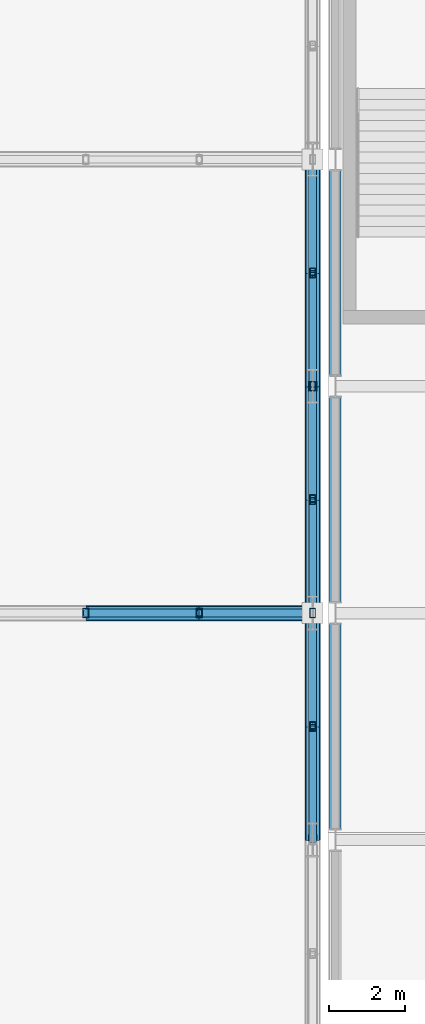
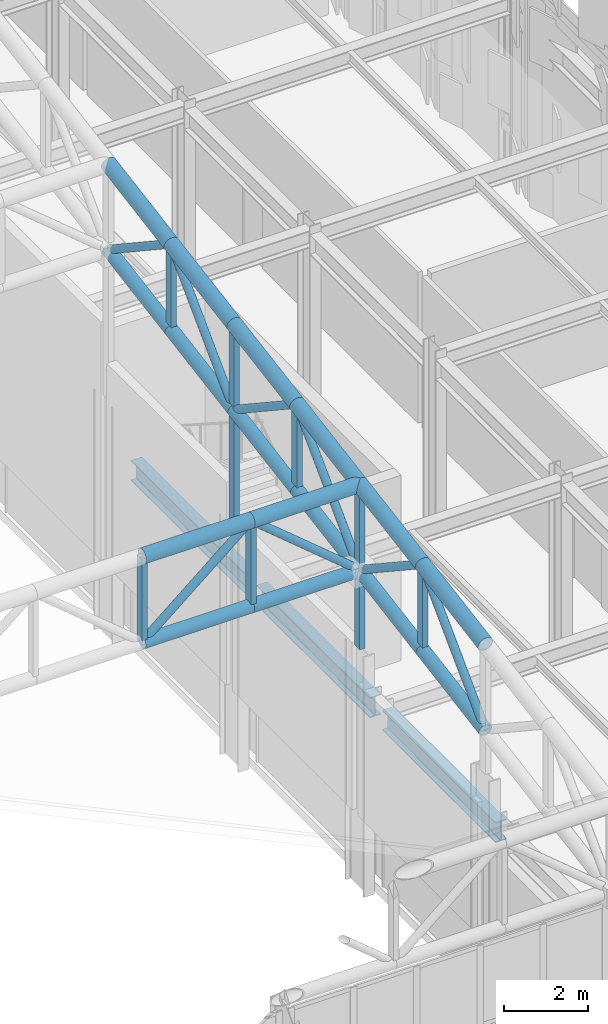
# One storey, part 74 of 239: 31 members, 3 beams.
"""IFC4 building model written with IfcOpenShell, lengths in metres."""

from ifc_helpers import new_model, si_unit, direction, frame, origin, origin_2d, place, context, subcontext, project, spatial, hollow_rectangle, hollow_circle, i_section, extrude, material, material_profile, profile_set, type_object, element, save


model = new_model("IFC4")

# Units and contexts
model_context = context("Model", 3, precision=1e-05, world=origin(), true_north=direction((0.0, 1.0)))
body_context = subcontext(model_context, "Body", "Model", "MODEL_VIEW")
ifc_project = project(units=[si_unit("LENGTHUNIT", "METRE"), si_unit("AREAUNIT", "SQUARE_METRE"), si_unit("VOLUMEUNIT", "CUBIC_METRE"), si_unit("PLANEANGLEUNIT", "RADIAN"), si_unit("MASSUNIT", "GRAM", prefix="KILO")], contexts=[model_context])

# Site, building, storey
site_placement = place(None, origin())
site = spatial("IfcSite", under=ifc_project, at=site_placement, CompositionType="ELEMENT")
building_placement = place(site_placement, origin())
building = spatial("IfcBuilding", under=site, at=building_placement, Name="Kaldris Quays Convention Centre", CompositionType="ELEMENT")
storey_placement = place(building_placement, frame((0.0, 0.0, 11.39990234375)))
storey = spatial("IfcBuildingStorey", under=building, at=storey_placement, Name="L02", CompositionType="ELEMENT", Elevation=11.39990234375)

# Beams
ifc_material_1 = material(Name="Steel S355J2", Category="steel")
ifc_material_profile_1 = material_profile(ifc_material_1, i_section(OverallWidth=0.300048828125, OverallDepth=0.590087890625, WebThickness=0.012939453125, FlangeThickness=0.02490234375, FilletRadius=0.027099609375, at=origin_2d()), Name="HEA 600")
ifc_profile_set_1 = profile_set([ifc_material_profile_1], Name="Steel S355J2")
beam_type = type_object("IfcBeamType", Name="STRUCTURAL BEAM BM08", PredefinedType="BEAM", material=ifc_profile_set_1)
for number, where, z_axis, x_axis, name in (
    (1, (146.60009765625, 62.2939453125, 4.8681640625), (0.0, 1.0, 0.0), (-1.0, 0.0, 0.0), "L02 Girder BM08 69"),
    (2, (146.60009765625, 68.2939453125, 4.8681640625), (0.0, 1.0, 0.0), (-1.0, 0.0, 0.0), "L02 Girder BM08 70"),
    (3, (146.60009765625, 74.2939453125, 4.8681640625), (0.0, 1.0, 0.0), (-1.0, 0.0, 0.0), "L02 Girder BM08 71"),
):
    element("IfcBeam", number, at=place(storey_placement, frame(where, z_axis=z_axis, x_axis=x_axis)), inside=storey, type_object=beam_type, Name=name, PredefinedType="BEAM", context=body_context, shape_type="SweptSolid", body=[
        extrude(i_section(OverallWidth=0.300048828125, OverallDepth=0.590087890625, WebThickness=0.012939453125, FlangeThickness=0.02490234375, FilletRadius=0.027099609375, at=origin_2d()), origin(), (0.0, 0.0, 1.0), 5.412109375),
    ])

# Members
ifc_material_2 = material(Name="Steel S355J2H", Category="steel")
ifc_material_profile_2 = material_profile(ifc_material_2, hollow_circle(Radius=0.203125, WallThickness=0.01611328125, at=origin_2d()), Name="CHS 406.4x16")
ifc_profile_set_2 = profile_set([ifc_material_profile_2], Name="Steel S355J2H")
member_type_1 = type_object("IfcMemberType", Name="STRUCTURAL MEMBER SC01", PredefinedType="CHORD", material=ifc_profile_set_2)
for number, where, z_axis, x_axis, name in (
    (4, (140.0, 68.0, 11.72900390625), (1.0, 0.0, 0.0), (0.0, 1.0, 0.0), "SF-V1 Top Chord X 83"),
    (5, (143.0, 68.0, 11.72900390625), (1.0, 0.0, 0.0), (0.0, 1.0, 0.0), "SF-V1 Top Chord X 84"),
):
    element("IfcMember", number, at=place(storey_placement, frame(where, z_axis=z_axis, x_axis=x_axis)), inside=storey, type_object=member_type_1, Name=name, PredefinedType="CHORD", context=body_context, shape_type="SweptSolid", body=[
        extrude(hollow_circle(Radius=0.203125, WallThickness=0.01611328125, at=origin_2d()), origin(), (0.0, 0.0, 1.0), 3.0),
    ])
for number, where, z_axis, x_axis, name in (
    (6, (146.0, 62.0, 10.700439453125), (0.0, 0.985615766076, 0.169001661712), (-1.0, 0.0, 0.0), "SF-V1 Top Chord Y 535"),
    (7, (146.0, 65.0, 11.21484375), (0.0, 0.98562912375, 0.168923741424), (-1.0, 0.0, 0.0), "SF-V1 Top Chord Y 536"),
    (8, (146.0, 68.0, 11.72900390625), (0.0, 0.985615766076, 0.169001661712), (-1.0, 0.0, 0.0), "SF-V1 Top Chord Y 537"),
    (9, (146.0, 71.0, 12.243408203125), (0.0, 0.98562912375, 0.168923741424), (-1.0, 0.0, 0.0), "SF-V1 Top Chord Y 538"),
    (10, (146.0, 74.0, 12.757568359375), (0.0, 0.985615766076, 0.169001661712), (-1.0, 0.0, 0.0), "SF-V1 Top Chord Y 539"),
    (11, (146.0, 77.0, 13.27197265625), (0.0, 0.98562912375, 0.168923741424), (-1.0, 0.0, 0.0), "SF-V1 Top Chord Y 540"),
):
    element("IfcMember", number, at=place(storey_placement, frame(where, z_axis=z_axis, x_axis=x_axis)), inside=storey, type_object=member_type_1, Name=name, PredefinedType="CHORD", context=body_context, shape_type="SweptSolid", body=[
        extrude(hollow_circle(Radius=0.203125, WallThickness=0.01611328125, at=origin_2d()), origin(), (0.0, 0.0, 1.0), 3.043701171875),
    ])
ifc_material_profile_3 = material_profile(ifc_material_2, hollow_circle(Radius=0.177734375, WallThickness=0.01611328125, at=origin_2d()), Name="CHS 355.6x16")
ifc_profile_set_3 = profile_set([ifc_material_profile_3], Name="Steel S355J2H")
member_type_2 = type_object("IfcMemberType", Name="STRUCTURAL MEMBER SC02", PredefinedType="CHORD", material=ifc_profile_set_3)
for number, where, z_axis, x_axis, name in (
    (12, (140.0, 68.0, 9.22900390625), (1.0, 0.0, 0.0), (0.0, 1.0, 0.0), "SF-V1 Bottom Chord X 83"),
    (13, (143.0, 68.0, 9.22900390625), (1.0, 0.0, 0.0), (0.0, 1.0, 0.0), "SF-V1 Bottom Chord X 84"),
):
    element("IfcMember", number, at=place(storey_placement, frame(where, z_axis=z_axis, x_axis=x_axis)), inside=storey, type_object=member_type_2, Name=name, PredefinedType="CHORD", context=body_context, shape_type="SweptSolid", body=[
        extrude(hollow_circle(Radius=0.177734375, WallThickness=0.01611328125, at=origin_2d()), origin(), (0.0, 0.0, 1.0), 3.0),
    ])
for number, where, z_axis, x_axis, name in (
    (14, (146.0, 62.0, 8.200439453125), (0.0, 0.985615766076, 0.169001661712), (-1.0, 0.0, 0.0), "SF-V1 Bottom Chord Y 535"),
    (15, (146.0, 65.0, 8.71484375), (0.0, 0.98562912375, 0.168923741424), (-1.0, 0.0, 0.0), "SF-V1 Bottom Chord Y 536"),
    (16, (146.0, 68.0, 9.22900390625), (0.0, 0.985615766076, 0.169001661712), (-1.0, 0.0, 0.0), "SF-V1 Bottom Chord Y 537"),
    (17, (146.0, 71.0, 9.743408203125), (0.0, 0.98562912375, 0.168923741424), (-1.0, 0.0, 0.0), "SF-V1 Bottom Chord Y 538"),
    (18, (146.0, 74.0, 10.257568359375), (0.0, 0.985615766076, 0.169001661712), (-1.0, 0.0, 0.0), "SF-V1 Bottom Chord Y 539"),
    (19, (146.0, 77.0, 10.77197265625), (0.0, 0.98562912375, 0.168923741424), (-1.0, 0.0, 0.0), "SF-V1 Bottom Chord Y 540"),
):
    element("IfcMember", number, at=place(storey_placement, frame(where, z_axis=z_axis, x_axis=x_axis)), inside=storey, type_object=member_type_2, Name=name, PredefinedType="CHORD", context=body_context, shape_type="SweptSolid", body=[
        extrude(hollow_circle(Radius=0.177734375, WallThickness=0.01611328125, at=origin_2d()), origin(), (0.0, 0.0, 1.0), 3.043701171875),
    ])
ifc_material_profile_4 = material_profile(ifc_material_2, hollow_circle(Radius=0.109619140625, WallThickness=0.010009765625, at=origin_2d()), Name="CHS 219.1x10")
ifc_profile_set_4 = profile_set([ifc_material_profile_4], Name="Steel S355J2H")
member_type_3 = type_object("IfcMemberType", Name="STRUCTURAL MEMBER SWB1", PredefinedType="BRACE", material=ifc_profile_set_4)
for number, where, z_axis, x_axis, name in (
    (20, (140.0, 68.0, 9.22900390625), (0.768221279597, 0.0, 0.640184399664), (0.0, 1.0, 0.0), "SF-V1 Web Diagonal X 83"),
    (21, (146.0, 68.0, 9.22900390625), (-0.768221279597, 0.0, 0.640184399664), (0.0, -1.0, 0.0), "SF-V1 Web Diagonal X 84"),
):
    element("IfcMember", number, at=place(storey_placement, frame(where, z_axis=z_axis, x_axis=x_axis)), inside=storey, type_object=member_type_3, Name=name, PredefinedType="BRACE", context=body_context, shape_type="SweptSolid", body=[
        extrude(hollow_circle(Radius=0.109619140625, WallThickness=0.010009765625, at=origin_2d()), origin(), (0.0, 0.0, 1.0), 3.905029296875),
    ])
member_1_placement = place(storey_placement, frame((146.0, 62.0, 8.200439453125), z_axis=(0.0, 0.705411261057, 0.708798245465), x_axis=(-1.0, 0.0, 0.0)))
element("IfcMember", 22, at=member_1_placement, inside=storey, type_object=member_type_3, Name="SF-V1 Web Diagonal Y 535", PredefinedType="BRACE", context=body_context, shape_type="SweptSolid", body=[
    extrude(hollow_circle(Radius=0.109619140625, WallThickness=0.010009765625, at=origin_2d()), origin(), (0.0, 0.0, 1.0), 4.2529296875),
])
member_2_placement = place(storey_placement, frame((146.0, 68.0, 9.22900390625), z_axis=(0.0, -0.833862389808, 0.551972385962), x_axis=(1.0, 0.0, 0.0)))
element("IfcMember", 23, at=member_2_placement, inside=storey, type_object=member_type_3, Name="SF-V1 Web Diagonal Y 536", PredefinedType="BRACE", context=body_context, shape_type="SweptSolid", body=[
    extrude(hollow_circle(Radius=0.109619140625, WallThickness=0.010009765625, at=origin_2d()), origin(), (0.0, 0.0, 1.0), 3.59765625),
])
member_3_placement = place(storey_placement, frame((146.0, 68.0, 9.22900390625), z_axis=(0.0, 0.705411261057, 0.708798245465), x_axis=(-1.0, 0.0, 0.0)))
element("IfcMember", 24, at=member_3_placement, inside=storey, type_object=member_type_3, Name="SF-V1 Web Diagonal Y 537", PredefinedType="BRACE", context=body_context, shape_type="SweptSolid", body=[
    extrude(hollow_circle(Radius=0.109619140625, WallThickness=0.010009765625, at=origin_2d()), origin(), (0.0, 0.0, 1.0), 4.2529296875),
])
member_4_placement = place(storey_placement, frame((146.0, 74.0, 10.257568359375), z_axis=(0.0, -0.833862389808, 0.551972385962), x_axis=(1.0, 0.0, 0.0)))
element("IfcMember", 25, at=member_4_placement, inside=storey, type_object=member_type_3, Name="SF-V1 Web Diagonal Y 538", PredefinedType="BRACE", context=body_context, shape_type="SweptSolid", body=[
    extrude(hollow_circle(Radius=0.109619140625, WallThickness=0.010009765625, at=origin_2d()), origin(), (0.0, 0.0, 1.0), 3.59765625),
])
member_5_placement = place(storey_placement, frame((146.0, 74.0, 10.257568359375), z_axis=(0.0, 0.705411261057, 0.708798245465), x_axis=(-1.0, 0.0, 0.0)))
element("IfcMember", 26, at=member_5_placement, inside=storey, type_object=member_type_3, Name="SF-V1 Web Diagonal Y 539", PredefinedType="BRACE", context=body_context, shape_type="SweptSolid", body=[
    extrude(hollow_circle(Radius=0.109619140625, WallThickness=0.010009765625, at=origin_2d()), origin(), (0.0, 0.0, 1.0), 4.2529296875),
])
member_6_placement = place(storey_placement, frame((146.0, 80.0, 11.2861328125), z_axis=(0.0, -0.833862389808, 0.551972385962), x_axis=(1.0, 0.0, 0.0)))
element("IfcMember", 27, at=member_6_placement, inside=storey, type_object=member_type_3, Name="SF-V1 Web Diagonal Y 540", PredefinedType="BRACE", context=body_context, shape_type="SweptSolid", body=[
    extrude(hollow_circle(Radius=0.109619140625, WallThickness=0.010009765625, at=origin_2d()), origin(), (0.0, 0.0, 1.0), 3.59765625),
])
ifc_material_profile_5 = material_profile(ifc_material_2, hollow_rectangle(XDim=0.14990234375, YDim=0.25, WallThickness=0.010009765625, at=origin_2d()), Name="RHS 250x150x10")
ifc_profile_set_5 = profile_set([ifc_material_profile_5], Name="Steel S355J2H")
member_type_4 = type_object("IfcMemberType", Name="STRUCTURAL MEMBER TTV1", PredefinedType="POST", material=ifc_profile_set_5)
for number, where, z_axis, x_axis, name in (
    (28, (140.0, 68.0, 9.22900390625), (0.0, 0.0, 1.0), (1.0, 0.0, 0.0), "SF-V1 Space-Frame Post 469"),
    (29, (143.0, 68.0, 9.22900390625), (0.0, 0.0, 1.0), (1.0, 0.0, 0.0), "SF-V1 Space-Frame Post 477"),
    (30, (146.0, 65.0, 8.71484375), (0.0, 0.0, 1.0), (1.0, 0.0, 0.0), "SF-V1 Space-Frame Post 487"),
):
    element("IfcMember", number, at=place(storey_placement, frame(where, z_axis=z_axis, x_axis=x_axis)), inside=storey, type_object=member_type_4, Name=name, PredefinedType="POST", context=body_context, shape_type="SweptSolid", body=[
        extrude(hollow_rectangle(XDim=0.14990234375, YDim=0.25, WallThickness=0.010009765625, at=origin_2d()), origin(), (0.0, 0.0, 1.0), 2.5),
    ])
member_7_placement = place(storey_placement, frame((146.0, 68.0, 6.994140625), z_axis=(0.0, 0.0, 1.0), x_axis=(1.0, 0.0, 0.0)))
element("IfcMember", 31, at=member_7_placement, inside=storey, type_object=member_type_4, Name="SF-V1 Space-Frame Post 488", PredefinedType="POST", context=body_context, shape_type="SweptSolid", body=[
    extrude(hollow_rectangle(XDim=0.14990234375, YDim=0.25, WallThickness=0.010009765625, at=origin_2d()), origin(), (0.0, 0.0, 1.0), 4.73486328125),
])
member_8_placement = place(storey_placement, frame((146.0, 71.0, 9.743408203125), z_axis=(0.0, 0.0, 1.0), x_axis=(1.0, 0.0, 0.0)))
element("IfcMember", 32, at=member_8_placement, inside=storey, type_object=member_type_4, Name="SF-V1 Space-Frame Post 489", PredefinedType="POST", context=body_context, shape_type="SweptSolid", body=[
    extrude(hollow_rectangle(XDim=0.14990234375, YDim=0.25, WallThickness=0.010009765625, at=origin_2d()), origin(), (0.0, 0.0, 1.0), 2.5),
])
member_9_placement = place(storey_placement, frame((146.0, 74.0, 6.994140625), z_axis=(0.0, 0.0, 1.0), x_axis=(1.0, 0.0, 0.0)))
element("IfcMember", 33, at=member_9_placement, inside=storey, type_object=member_type_4, Name="SF-V1 Space-Frame Post 490", PredefinedType="POST", context=body_context, shape_type="SweptSolid", body=[
    extrude(hollow_rectangle(XDim=0.14990234375, YDim=0.25, WallThickness=0.010009765625, at=origin_2d()), origin(), (0.0, 0.0, 1.0), 5.763427734375),
])
member_10_placement = place(storey_placement, frame((146.0, 77.0, 10.77197265625), z_axis=(0.0, 0.0, 1.0), x_axis=(1.0, 0.0, 0.0)))
element("IfcMember", 34, at=member_10_placement, inside=storey, type_object=member_type_4, Name="SF-V1 Space-Frame Post 491", PredefinedType="POST", context=body_context, shape_type="SweptSolid", body=[
    extrude(hollow_rectangle(XDim=0.14990234375, YDim=0.25, WallThickness=0.010009765625, at=origin_2d()), origin(), (0.0, 0.0, 1.0), 2.5),
])

save(model, "model.ifc")
